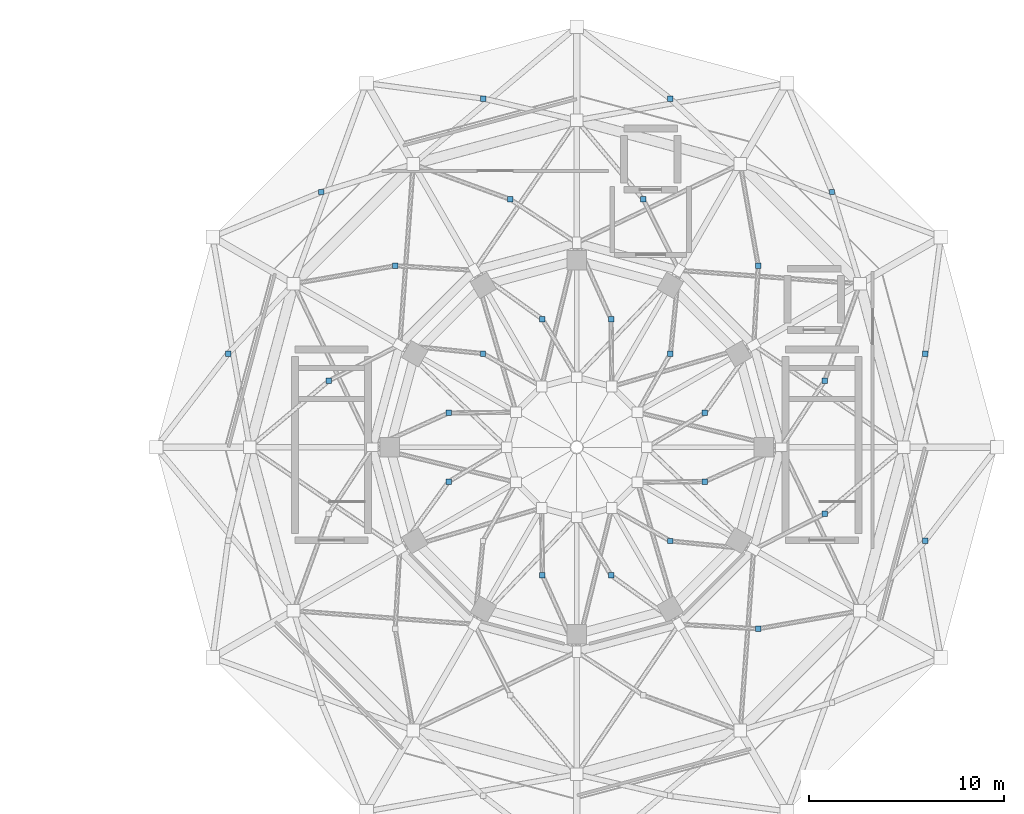
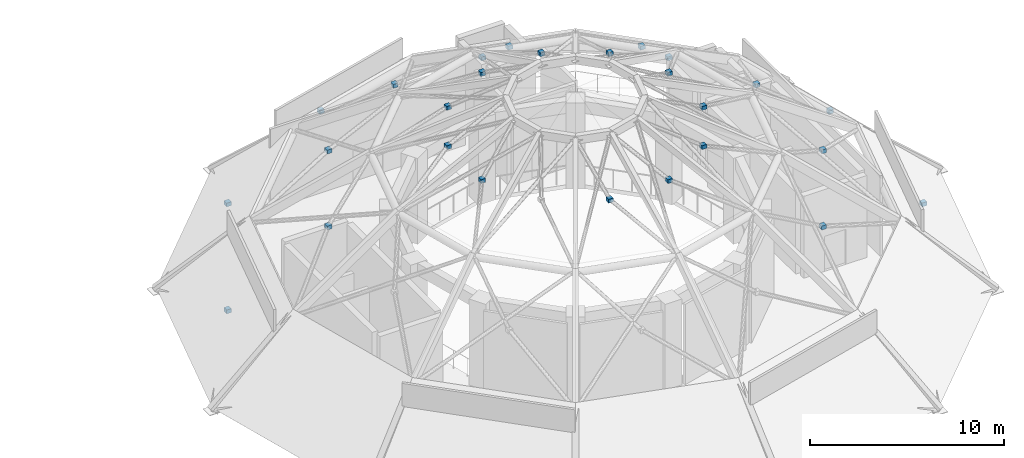
# One storey, part 31 of 32: 26 discrete accessories.
"""IFC4 building model written with IfcOpenShell, lengths in metres."""

from ifc_helpers import new_model, si_unit, direction, frame, origin, origin_2d, place, context, subcontext, project, spatial, rectangle, extrude, material, type_object, element, save


model = new_model("IFC4")

# Units and contexts
model_context = context("Model", 3, precision=1e-05, world=origin(), true_north=direction((0.0, 1.0)))
body_context = subcontext(model_context, "Body", "Model", "MODEL_VIEW")
ifc_project = project(units=[si_unit("LENGTHUNIT", "METRE"), si_unit("AREAUNIT", "SQUARE_METRE"), si_unit("VOLUMEUNIT", "CUBIC_METRE"), si_unit("PLANEANGLEUNIT", "RADIAN"), si_unit("MASSUNIT", "GRAM", prefix="KILO")], contexts=[model_context])

# Site, building, storey
site_placement = place(None, origin())
site = spatial("IfcSite", under=ifc_project, at=site_placement, CompositionType="ELEMENT")
building_placement = place(site_placement, origin())
building = spatial("IfcBuilding", under=site, at=building_placement, Name="Haizhuo Lancet Aquarium", CompositionType="ELEMENT")
storey_placement = place(building_placement, frame((0.0, 0.0, 27.0)))
storey = spatial("IfcBuildingStorey", under=building, at=storey_placement, Name="L05", CompositionType="ELEMENT", Elevation=27.0)

# Discrete accessories
ifc_material = material(Name="Steel S355", Category="steel")
discrete_accessory_type = type_object("IfcDiscreteAccessoryType", Name="ACC-END-CAP", PredefinedType="BRACKET", material=ifc_material)
for number, where, z_axis, x_axis, name in (
    (1, (17.9140625, 4.800048828125, 2.0048828125), (0.0, 0.0, 1.0), (1.0, 0.0, 0.0), "L05 X-brace crossing gusset plate XN-MEM-L05-DOME-BRC2A-T1-01"),
    (2, (13.114013671875, 13.114013671875, 2.0048828125), (0.0, 0.0, 1.0), (1.0, 0.0, 0.0), "L05 X-brace crossing gusset plate XN-MEM-L05-DOME-BRC2A-T1-02"),
    (3, (4.800048828125, 17.9140625, 2.0048828125), (0.0, 0.0, 1.0), (1.0, 0.0, 0.0), "L05 X-brace crossing gusset plate XN-MEM-L05-DOME-BRC2A-T1-03"),
    (4, (-4.800048828125, 17.9140625, 2.0048828125), (0.0, 0.0, 1.0), (1.0, 0.0, 0.0), "L05 X-brace crossing gusset plate XN-MEM-L05-DOME-BRC2A-T1-04"),
    (5, (-13.114013671875, 13.114013671875, 2.0048828125), (0.0, 0.0, 1.0), (1.0, 0.0, 0.0), "L05 X-brace crossing gusset plate XN-MEM-L05-DOME-BRC2A-T1-05"),
    (6, (-17.9140625, 4.800048828125, 2.0048828125), (0.0, 0.0, 1.0), (1.0, 0.0, 0.0), "L05 X-brace crossing gusset plate XN-MEM-L05-DOME-BRC2A-T1-06"),
    (7, (17.9140625, -4.800048828125, 2.0048828125), (0.0, 0.0, 1.0), (1.0, 0.0, 0.0), "L05 X-brace crossing gusset plate XN-MEM-L05-DOME-BRC2A-T1-12"),
    (8, (12.736083984375, 3.4130859375, 6.30517578125), (0.0, 0.0, 1.0), (1.0, 0.0, 0.0), "L05 X-brace crossing gusset plate XN-MEM-L05-DOME-BRC2A-T2-01"),
    (9, (9.322998046875, 9.322998046875, 6.30517578125), (0.0, 0.0, 1.0), (1.0, 0.0, 0.0), "L05 X-brace crossing gusset plate XN-MEM-L05-DOME-BRC2A-T2-02"),
    (10, (3.4130859375, 12.736083984375, 6.30517578125), (0.0, 0.0, 1.0), (1.0, 0.0, 0.0), "L05 X-brace crossing gusset plate XN-MEM-L05-DOME-BRC2A-T2-03"),
    (11, (-3.4130859375, 12.736083984375, 6.30517578125), (0.0, 0.0, 1.0), (1.0, 0.0, 0.0), "L05 X-brace crossing gusset plate XN-MEM-L05-DOME-BRC2A-T2-04"),
    (12, (-9.322998046875, 9.322998046875, 6.30517578125), (0.0, 0.0, 1.0), (1.0, 0.0, 0.0), "L05 X-brace crossing gusset plate XN-MEM-L05-DOME-BRC2A-T2-05"),
    (13, (-12.736083984375, 3.4130859375, 6.30517578125), (0.0, 0.0, 1.0), (1.0, 0.0, 0.0), "L05 X-brace crossing gusset plate XN-MEM-L05-DOME-BRC2A-T2-06"),
    (14, (9.322998046875, -9.322998046875, 6.30517578125), (0.0, 0.0, 1.0), (1.0, 0.0, 0.0), "L05 X-brace crossing gusset plate XN-MEM-L05-DOME-BRC2A-T2-11"),
    (15, (12.736083984375, -3.4130859375, 6.30517578125), (0.0, 0.0, 1.0), (1.0, 0.0, 0.0), "L05 X-brace crossing gusset plate XN-MEM-L05-DOME-BRC2A-T2-12"),
    (16, (6.577880859375, 1.761962890625, 10.205078125), (0.0, 0.0, 1.0), (1.0, 0.0, 0.0), "L05 X-brace crossing gusset plate XN-MEM-L05-DOME-BRC2A-T3-01"),
    (17, (4.81494140625, 4.81494140625, 10.205078125), (0.0, 0.0, 1.0), (1.0, 0.0, 0.0), "L05 X-brace crossing gusset plate XN-MEM-L05-DOME-BRC2A-T3-02"),
    (18, (1.761962890625, 6.577880859375, 10.205078125), (0.0, 0.0, 1.0), (1.0, 0.0, 0.0), "L05 X-brace crossing gusset plate XN-MEM-L05-DOME-BRC2A-T3-03"),
    (19, (-1.761962890625, 6.577880859375, 10.205078125), (0.0, 0.0, 1.0), (1.0, 0.0, 0.0), "L05 X-brace crossing gusset plate XN-MEM-L05-DOME-BRC2A-T3-04"),
    (20, (-4.81494140625, 4.81494140625, 10.205078125), (0.0, 0.0, 1.0), (1.0, 0.0, 0.0), "L05 X-brace crossing gusset plate XN-MEM-L05-DOME-BRC2A-T3-05"),
    (21, (-6.577880859375, 1.761962890625, 10.205078125), (0.0, 0.0, 1.0), (1.0, 0.0, 0.0), "L05 X-brace crossing gusset plate XN-MEM-L05-DOME-BRC2A-T3-06"),
    (22, (-6.577880859375, -1.761962890625, 10.205078125), (0.0, 0.0, 1.0), (1.0, 0.0, 0.0), "L05 X-brace crossing gusset plate XN-MEM-L05-DOME-BRC2A-T3-07"),
    (23, (-1.761962890625, -6.577880859375, 10.205078125), (0.0, 0.0, 1.0), (1.0, 0.0, 0.0), "L05 X-brace crossing gusset plate XN-MEM-L05-DOME-BRC2A-T3-09"),
    (24, (1.761962890625, -6.577880859375, 10.205078125), (0.0, 0.0, 1.0), (1.0, 0.0, 0.0), "L05 X-brace crossing gusset plate XN-MEM-L05-DOME-BRC2A-T3-10"),
    (25, (4.81494140625, -4.81494140625, 10.205078125), (0.0, 0.0, 1.0), (1.0, 0.0, 0.0), "L05 X-brace crossing gusset plate XN-MEM-L05-DOME-BRC2A-T3-11"),
    (26, (6.577880859375, -1.761962890625, 10.205078125), (0.0, 0.0, 1.0), (1.0, 0.0, 0.0), "L05 X-brace crossing gusset plate XN-MEM-L05-DOME-BRC2A-T3-12"),
):
    element("IfcDiscreteAccessory", number, at=place(storey_placement, frame(where, z_axis=z_axis, x_axis=x_axis)), inside=storey, type_object=discrete_accessory_type, material=ifc_material, Name=name, PredefinedType="BRACKET", context=body_context, shape_type="SweptSolid", body=[
        extrude(rectangle(XDim=0.280029296875, YDim=0.280029296875, at=origin_2d()), origin(), (0.0, 0.0, 1.0), 0.239990234375),
    ])

save(model, "model.ifc")
